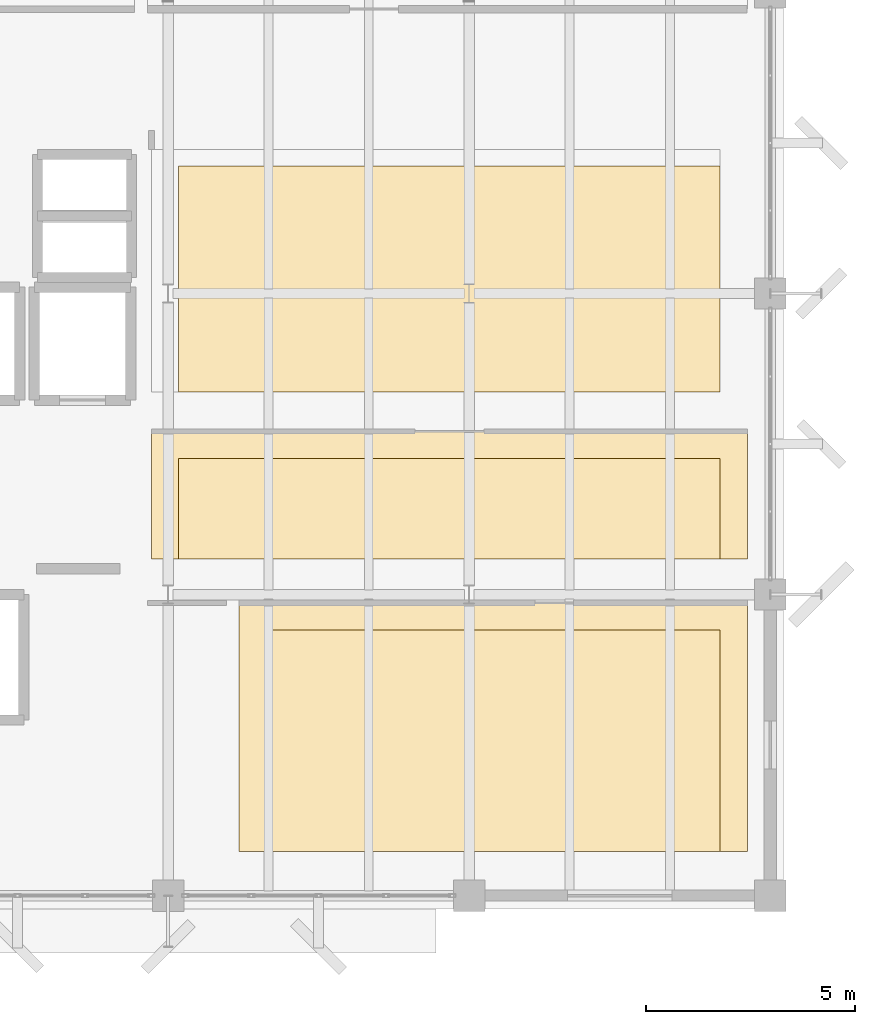
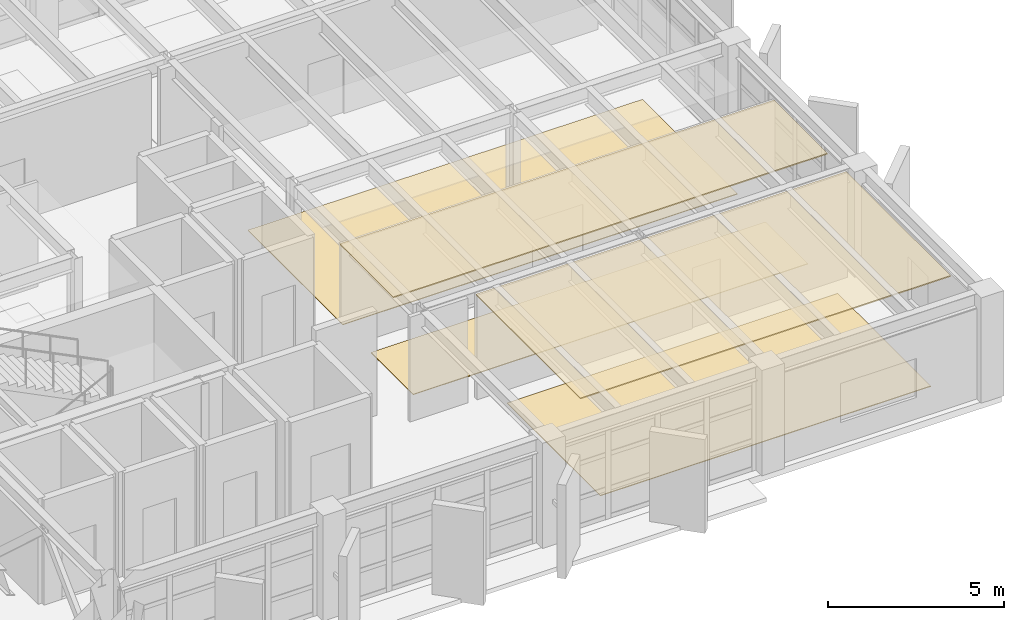
# One storey, part 22 of 24: 5 coverings.
"""IFC4 building model written with IfcOpenShell, lengths in metres."""

from ifc_helpers import new_model, si_unit, direction, frame, origin, place, context, subcontext, project, spatial, polyline, outline, extrude, material, layer, layer_set, type_object, element, save


model = new_model("IFC4")

# Units and contexts
model_context = context("Model", 3, precision=1e-05, world=origin(), true_north=direction((0.0, 1.0)))
body_context = subcontext(model_context, "Body", "Model", "MODEL_VIEW")
ifc_project = project(units=[si_unit("LENGTHUNIT", "METRE"), si_unit("AREAUNIT", "SQUARE_METRE"), si_unit("VOLUMEUNIT", "CUBIC_METRE"), si_unit("PLANEANGLEUNIT", "RADIAN"), si_unit("MASSUNIT", "GRAM", prefix="KILO")], contexts=[model_context])

# Site, building, storey
site_placement = place(None, origin())
site = spatial("IfcSite", under=ifc_project, at=site_placement, CompositionType="ELEMENT")
building_placement = place(site_placement, origin())
building = spatial("IfcBuilding", under=site, at=building_placement, Name="Kandorven Conservatory and Botanical Research Centre", CompositionType="ELEMENT")
storey_placement = place(building_placement, frame((0.0, 0.0, 24.89990234375)))
storey = spatial("IfcBuildingStorey", under=building, at=storey_placement, Name="L06", CompositionType="ELEMENT", Elevation=24.89990234375)

# Coverings
ifc_material_1 = material(Name="Perforated mineral-fibre acoustic ceiling tile", Category="gypsum")
ifc_layer_1 = layer(ifc_material_1, 0.0400390625)
ifc_layer_set_1 = layer_set([ifc_layer_1], Name="Perforated mineral-fibre acoustic ceiling tile")
covering_type_1 = type_object("IfcCoveringType", Name="Cov_Ceiling_1", PredefinedType="CEILING", material=ifc_layer_set_1)
covering_1_placement = place(storey_placement, frame((0.0, 0.0, 3.590087890625)))
element("IfcCovering", 1, at=covering_1_placement, inside=storey, type_object=covering_type_1, Name="Suspended acoustic ceiling CLG-01 (Plant Pathology Research Laboratory L06)", PredefinedType="CEILING", context=body_context, shape_type="SweptSolid", body=[
    extrude(outline(polyline([(27.199951171875, 14.050048828125), (41.449951171875, 14.050048828125), (41.449951171875, 17.10009765625), (27.199951171875, 17.10009765625), (27.199951171875, 14.050048828125)])), origin(), (0.0, 0.0, 1.0), 0.0400390625),
])
covering_2_placement = place(storey_placement, frame((0.0, 0.0, 3.590087890625)))
element("IfcCovering", 2, at=covering_2_placement, inside=storey, type_object=covering_type_1, Name="Suspended acoustic ceiling CLG-01 (Seed Biology Research Laboratory L06)", PredefinedType="CEILING", context=body_context, shape_type="SweptSolid", body=[
    extrude(outline(polyline([(29.300048828125, 7.050048828125), (41.449951171875, 7.050048828125), (41.449951171875, 13.0), (29.300048828125, 13.0), (29.300048828125, 7.050048828125)])), origin(), (0.0, 0.0, 1.0), 0.0400390625),
])
ifc_material_2 = material(Name="Honed Kota stone and epoxy laboratory flooring", Category="masonry")
ifc_layer_2 = layer(ifc_material_2, 0.02490234375)
ifc_layer_set_2 = layer_set([ifc_layer_2], Name="Honed Kota stone and epoxy laboratory flooring")
covering_type_2 = type_object("IfcCoveringType", Name="Cov_Flooring_1", PredefinedType="FLOORING", material=ifc_layer_set_2)
covering_3_placement = place(storey_placement, origin())
element("IfcCovering", 3, at=covering_3_placement, inside=storey, type_object=covering_type_2, Name="Floor finish FLR-01 (Plant Pathology Research Laboratory L06)", PredefinedType="FLOORING", context=body_context, shape_type="SweptSolid", body=[
    extrude(outline(polyline([(27.85009765625, 14.050048828125), (40.800048828125, 14.050048828125), (40.800048828125, 16.449951171875), (27.85009765625, 16.449951171875), (27.85009765625, 14.050048828125)])), origin(), (0.0, 0.0, 1.0), 0.025146484375),
])
covering_4_placement = place(storey_placement, origin())
element("IfcCovering", 4, at=covering_4_placement, inside=storey, type_object=covering_type_2, Name="Floor finish FLR-01 (Seed Biology Research Laboratory L06)", PredefinedType="FLOORING", context=body_context, shape_type="SweptSolid", body=[
    extrude(outline(polyline([(29.949951171875, 7.050048828125), (40.800048828125, 7.050048828125), (40.800048828125, 12.35009765625), (29.949951171875, 12.35009765625), (29.949951171875, 7.050048828125)])), origin(), (0.0, 0.0, 1.0), 0.025146484375),
])
covering_5_placement = place(storey_placement, origin())
element("IfcCovering", 5, at=covering_5_placement, inside=storey, type_object=covering_type_2, Name="Floor finish FLR-01 (Botanical Curation Studio L06)", PredefinedType="FLOORING", context=body_context, shape_type="SweptSolid", body=[
    extrude(outline(polyline([(27.85009765625, 18.050048828125), (40.800048828125, 18.050048828125), (40.800048828125, 23.449951171875), (27.85009765625, 23.449951171875), (27.85009765625, 18.050048828125)])), origin(), (0.0, 0.0, 1.0), 0.025146484375),
])

save(model, "model.ifc")
